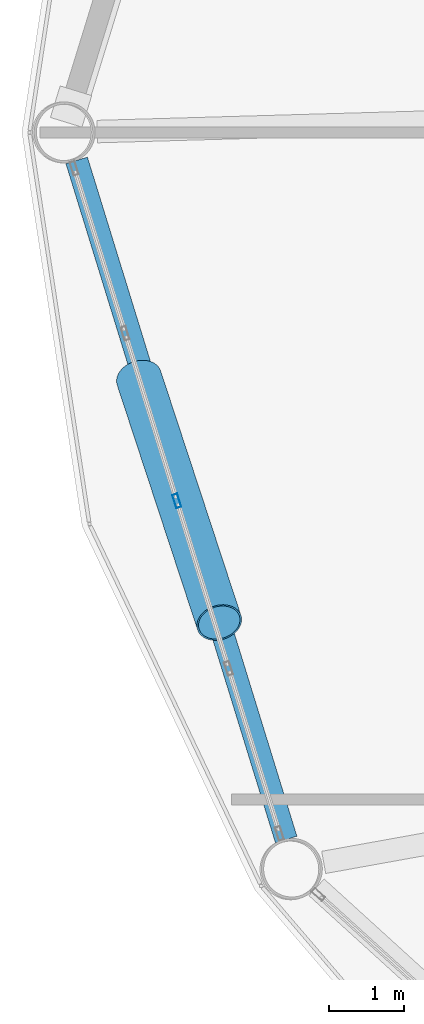
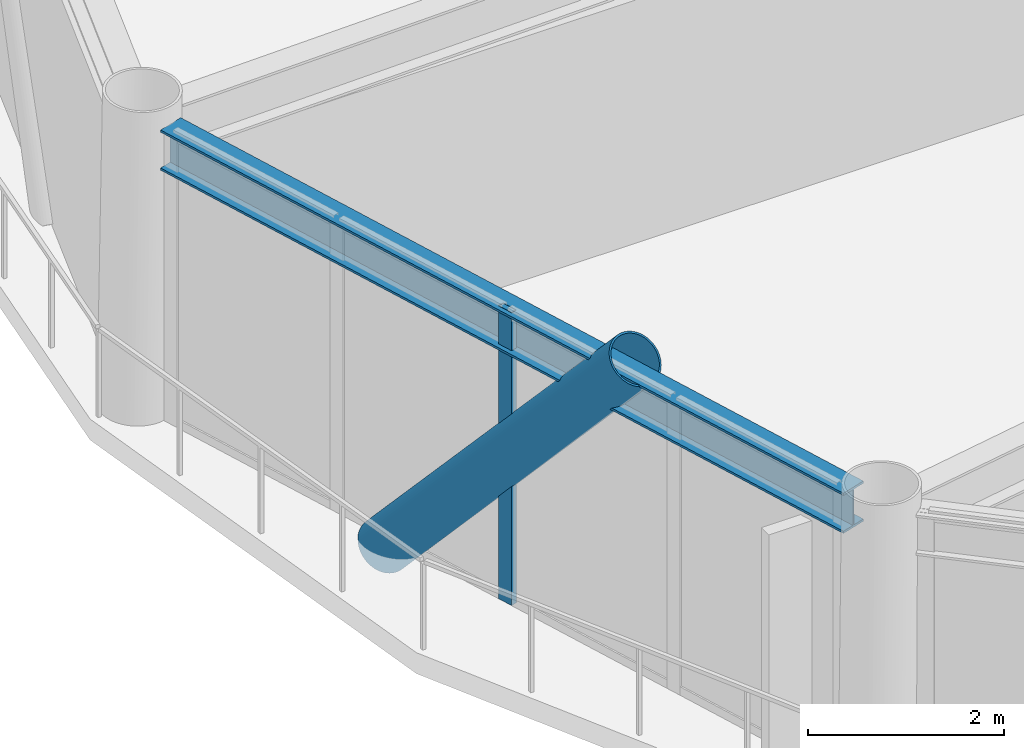
# One storey, part 3 of 25: 2 members, 1 beam, 1 element without a shape of its own.
"""IFC4 building model written with IfcOpenShell, lengths in metres."""

from ifc_helpers import new_model, si_unit, direction, frame, origin, origin_2d, place, context, subcontext, project, spatial, hollow_rectangle, hollow_circle, i_section, extrude, material, layer, layer_set, material_profile, profile_set, type_object, element, aggregate, save


model = new_model("IFC4")

# Units and contexts
model_context = context("Model", 3, precision=1e-05, world=origin(), true_north=direction((0.0, 1.0)))
body_context = subcontext(model_context, "Body", "Model", "MODEL_VIEW")
ifc_project = project(units=[si_unit("LENGTHUNIT", "METRE"), si_unit("AREAUNIT", "SQUARE_METRE"), si_unit("VOLUMEUNIT", "CUBIC_METRE"), si_unit("PLANEANGLEUNIT", "RADIAN"), si_unit("MASSUNIT", "GRAM", prefix="KILO")], contexts=[model_context])

# Site, building, storey
site_placement = place(None, origin())
site = spatial("IfcSite", under=ifc_project, at=site_placement, CompositionType="ELEMENT")
building_placement = place(site_placement, origin())
building = spatial("IfcBuilding", under=site, at=building_placement, Name="Varnakorn Sky Granary", CompositionType="ELEMENT")
storey_placement = place(building_placement, frame((0.0, 0.0, 91.5)))
storey = spatial("IfcBuildingStorey", under=building, at=storey_placement, Name="L22", CompositionType="ELEMENT", Elevation=91.5)

# Beam
ifc_material_1 = material(Name="Steel S355JR", Category="steel")
ifc_material_profile_1 = material_profile(ifc_material_1, i_section(OverallWidth=0.300048828125, OverallDepth=0.5, WebThickness=0.014404296875, FlangeThickness=0.028076171875, at=origin_2d()), Name="HE 500 B")
ifc_profile_set_1 = profile_set([ifc_material_profile_1], Name="Steel S355JR")
beam_type = type_object("IfcBeamType", Name="BM-SPD-Z2", PredefinedType="SPANDREL", material=ifc_profile_set_1)
beam_placement = place(storey_placement, frame((-23.1015625, -0.3740234375, 3.389892578125), z_axis=(0.294800350665, -0.955558869588, 0.0), x_axis=(0.955558869588, 0.294800350665, 0.0)))
element("IfcBeam", 1, at=beam_placement, inside=storey, type_object=beam_type, Name="Perimeter Spandrel Ring Beam RB07 L22", PredefinedType="SPANDREL", context=body_context, shape_type="SweptSolid", body=[
    extrude(i_section(OverallWidth=0.300048828125, OverallDepth=0.5, WebThickness=0.014404296875, FlangeThickness=0.028076171875, at=origin_2d()), origin(), (0.0, 0.0, 1.0), 9.483154296875),
])

# Curtain wall, member
ifc_material_2 = material(Name="Anodised Bronze Aluminium Alloy 6063-T6", Category="aluminium")
ifc_layer = layer(ifc_material_2, 0.18994140625, Name="Anodised Bronze Aluminium Alloy 6063-T6")
ifc_layer_set = layer_set([ifc_layer], Name="Anodised Bronze Aluminium Alloy 6063-T6")
curtain_wall_type = type_object("IfcCurtainWallType", Name="CW-FRM-1", PredefinedType="USERDEFINED", material=ifc_layer_set)
curtain_wall_placement = place(storey_placement, origin())
curtain_wall = element("IfcCurtainWall", 2, at=curtain_wall_placement, inside=storey, type_object=curtain_wall_type, Name="Unitised Curtain Wall CW3 CW-L22-B07", ObjectType="CURTAIN WALL", PredefinedType="USERDEFINED")
ifc_material_profile_2 = material_profile(ifc_material_2, hollow_rectangle(XDim=0.070068359375, YDim=0.18505859375, WallThickness=0.00390625, at=origin_2d()), Name="ALU MULL 70x185")
ifc_profile_set_2 = profile_set([ifc_material_profile_2], Name="Anodised Bronze Aluminium Alloy 6063-T6")
member_type_1 = type_object("IfcMemberType", Name="CW-FRM-1-MULL", PredefinedType="MULLION", material=ifc_profile_set_2)
member_1_placement = place(storey_placement, frame((-21.765380859375, -4.916748046875, 0.0), z_axis=(0.0, 0.0, 1.0), x_axis=(-0.955517788397, -0.294933477341, 0.0)))
member_1 = element("IfcMember", 3, at=member_1_placement, type_object=member_type_1, Name="CW3 mullion 3", PredefinedType="MULLION", context=body_context, shape_type="SweptSolid", body=[
    extrude(hollow_rectangle(XDim=0.070068359375, YDim=0.18505859375, WallThickness=0.00390625, at=origin_2d()), origin(), (0.0, 0.0, 1.0), 3.639892578125),
])
aggregate(curtain_wall, [member_1])

# Member
ifc_material_3 = material(Name="Steel S460M", Category="steel")
ifc_material_profile_3 = material_profile(ifc_material_3, hollow_circle(Radius=0.304931640625, WallThickness=0.022216796875, at=origin_2d()), Name="CHS 610x22")
ifc_profile_set_3 = profile_set([ifc_material_profile_3], Name="Steel S460M")
member_type_2 = type_object("IfcMemberType", Name="MB-DIAG-T1", PredefinedType="BRACE", material=ifc_profile_set_3)
member_2_placement = place(storey_placement, frame((-22.271240234375, -3.27783203125, -0.1298828125), z_axis=(0.205668491626, -0.626000543306, 0.752212597165), x_axis=(0.950039580361, 0.312129453509, 0.0)))
element("IfcMember", 4, at=member_2_placement, inside=storey, type_object=member_type_2, Name="Perimeter CHS Diagrid Brace DG07 L22", PredefinedType="BRACE", context=body_context, shape_type="SweptSolid", body=[
    extrude(hollow_circle(Radius=0.304931640625, WallThickness=0.022216796875, at=origin_2d()), origin(), (0.0, 0.0, 1.0), 5.211181640625),
])

save(model, "model.ifc")
